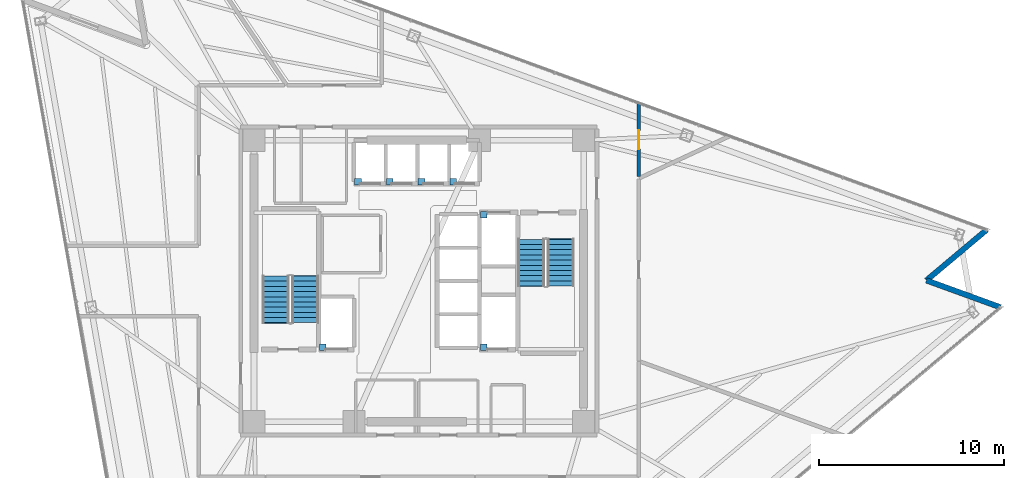
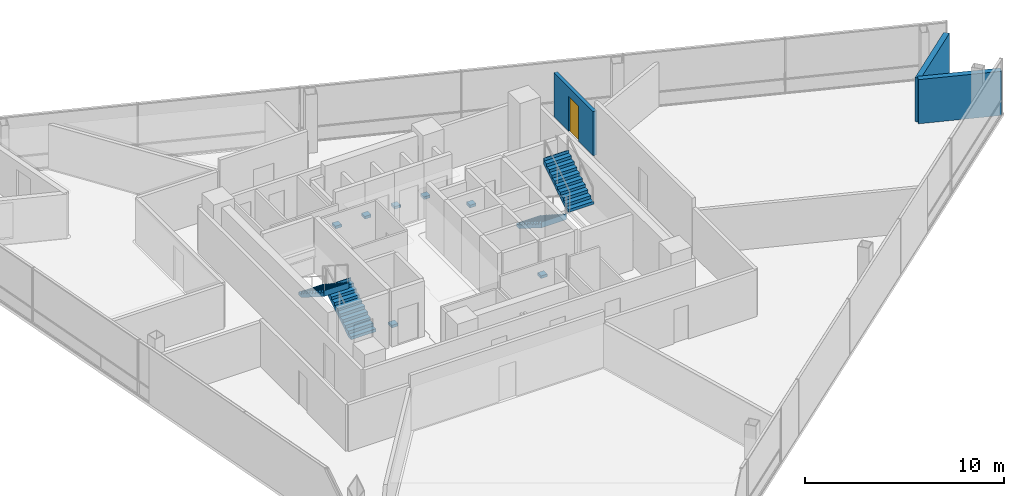
# One storey, part 12 of 16: 7 discrete accessories, 4 stair flights, 3 walls, 1 door, 1 opening, 2 elements without a shape of their own.
"""IFC4 building model written with IfcOpenShell, lengths in metres."""

from ifc_helpers import new_model, si_unit, direction, frame, frame_2d, origin, origin_2d, place, context, subcontext, project, spatial, polyline, rectangle, outline, extrude, material, layer, layer_set, type_object, element, fill, aggregate, save


model = new_model("IFC4")

# Units and contexts
model_context = context("Model", 3, precision=1e-05, world=origin(), true_north=direction((0.0, 1.0)))
body_context = subcontext(model_context, "Body", "Model", "MODEL_VIEW")
ifc_project = project(units=[si_unit("LENGTHUNIT", "METRE"), si_unit("AREAUNIT", "SQUARE_METRE"), si_unit("VOLUMEUNIT", "CUBIC_METRE"), si_unit("PLANEANGLEUNIT", "RADIAN"), si_unit("MASSUNIT", "GRAM", prefix="KILO")], contexts=[model_context])

# Site, building, storey
site_placement = place(None, origin())
site = spatial("IfcSite", under=ifc_project, at=site_placement, CompositionType="ELEMENT")
building_placement = place(site_placement, origin())
building = spatial("IfcBuilding", under=site, at=building_placement, Name="Tharavind Bronze Gate", CompositionType="ELEMENT")
storey_placement = place(building_placement, frame((0.0, 0.0, 188.5)))
storey = spatial("IfcBuildingStorey", under=building, at=storey_placement, Name="L48", CompositionType="ELEMENT", Elevation=188.5)

# Walls
ifc_material_1 = material(Name="Concrete C40/50", Category="concrete")
ifc_layer_1 = layer(ifc_material_1, 0.300048828125)
ifc_layer_set_1 = layer_set([ifc_layer_1], Name="Concrete C40/50")
wall_type_1 = type_object("IfcWallType", Name="EXTERIOR SPANDREL WALL 300", PredefinedType="STANDARD", material=ifc_layer_set_1)
for number, where, z_axis, x_axis, name in (
    (1, (31.410888671875, -1.418212890625, 0.0), (0.0, 0.0, 1.0), (-0.939672547019, 0.342075290511, 0.0), "L48 notch cheek wall 3A"),
    (2, (27.419189453125, 0.034912109375, 0.0), (0.0, 0.0, 1.0), (0.766054602204, 0.642775502367, 0.0), "L48 notch cheek wall 3B"),
):
    element("IfcWall", number, at=place(storey_placement, frame(where, z_axis=z_axis, x_axis=x_axis)), inside=storey, type_object=wall_type_1, Name=name, PredefinedType="STANDARD", context=body_context, shape_type="SweptSolid", body=[
        extrude(rectangle(XDim=4.248046875, YDim=0.300048828125, at=frame_2d((2.1240234375, 0.0))), origin(), (0.0, 0.0, 1.0), 2.715087890625),
    ])

# Wall, opening, door
ifc_material_2 = material(Name="Aerated Concrete Block", Category="concrete")
ifc_layer_2 = layer(ifc_material_2, 0.199951171875)
ifc_layer_set_2 = layer_set([ifc_layer_2], Name="Aerated Concrete Block")
wall_type_2 = type_object("IfcWallType", Name="FIRE RATED PARTITION 200", PredefinedType="PARTITIONING", material=ifc_layer_set_2)
wall_placement = place(storey_placement, frame((11.8798828125, 5.655517578125, 0.0), z_axis=(0.0, 0.0, 1.0), x_axis=(0.0, 1.0, 0.0)))
wall = element("IfcWall", 3, at=wall_placement, inside=storey, type_object=wall_type_2, Name="L48 Cloud Engineering Open Office partition", PredefinedType="PARTITIONING", context=body_context, shape_type="SweptSolid", body=[
    extrude(rectangle(XDim=3.9501953125, YDim=0.199951171875, at=frame_2d((1.97509765625, 0.0))), origin(), (0.0, 0.0, 1.0), 2.715087890625),
])
opening_placement = place(wall_placement, frame((1.47509765625, 0.0, 0.0)))
opening = element("IfcOpeningElement", 4, at=opening_placement, cuts=wall, Name="Opening ID04", PredefinedType="OPENING", context=body_context, shape_type="SweptSolid", body=[
    extrude(rectangle(XDim=1.0, YDim=2.14990234375, at=frame_2d((0.5, 1.074951171875))), frame((0.0, 0.11009765625, 0.0), z_axis=(0.0, -1.0, 0.0), x_axis=(1.0, 0.0, 0.0)), (0.0, 0.0, 1.0), 0.219951171875),
])
ifc_material_3 = material(Name="Bronze Framed Acoustic Timber", Category="wood")
door_type = type_object("IfcDoorType", Name="OFFICE TENANCY DOOR 1000X2150", OperationType="SINGLE_SWING_RIGHT", PredefinedType="DOOR", material=ifc_material_3)
door_placement = place(opening_placement, origin())
door = element("IfcDoor", 5, at=door_placement, inside=storey, type_object=door_type, Name="L48 Cloud Engineering Open Office door", OperationType="SINGLE_SWING_RIGHT", OverallHeight=2.14990234375, OverallWidth=1.0, PredefinedType="DOOR", context=body_context, shape_type="SweptSolid", body=[
    extrude(rectangle(XDim=1.0, YDim=2.14990234375, at=frame_2d((0.5, 1.074951171875))), frame((0.0, 0.02490234375, 0.0), z_axis=(0.0, -1.0, 0.0), x_axis=(1.0, 0.0, 0.0)), (0.0, 0.0, 1.0), 0.050048828125),
])
fill(opening, door)

# Stair, stair flights
stair_type = type_object("IfcStairType", Name="CORE HALF TURN STAIR 1450", PredefinedType="HALF_TURN_STAIR", material=ifc_material_1)
stair_1_placement = place(storey_placement, origin())
stair_1 = element("IfcStair", 6, at=stair_1_placement, inside=storey, type_object=stair_type, Name="L48 Protected Exit Stair ST1", PredefinedType="HALF_TURN_STAIR")
stair_flight_type = type_object("IfcStairFlightType", Name="CORE STAIR FLIGHT 1450", PredefinedType="STRAIGHT", material=ifc_material_1)
stair_flight_1_placement = place(storey_placement, frame((-6.125, -2.25, 0.0), z_axis=(0.0, 0.0, 1.0), x_axis=(0.0, 1.0, 0.0)))
stair_flight_1 = element("IfcStairFlight", 7, at=stair_flight_1_placement, type_object=stair_flight_type, Name="ST1 flight 1", NumberOfRisers=10, NumberOfTreads=9, PredefinedType="STRAIGHT", RiserHeight=0.18, TreadLength=0.28, context=body_context, shape_type="SweptSolid", body=[
    extrude(outline(polyline([(0.0, 0.0), (0.0, 0.179931640625), (0.280029296875, 0.179931640625), (0.280029296875, 0.360107421875), (0.56005859375, 0.360107421875), (0.56005859375, 0.5400390625), (0.840087890625, 0.5400390625), (0.840087890625, 0.719970703125), (1.1201171875, 0.719970703125), (1.1201171875, 0.89990234375), (1.39990234375, 0.89990234375), (1.39990234375, 1.080078125), (1.679931640625, 1.080078125), (1.679931640625, 1.260009765625), (1.9599609375, 1.260009765625), (1.9599609375, 1.43994140625), (2.239990234375, 1.43994140625), (2.239990234375, 1.6201171875), (2.52001953125, 1.6201171875), (2.52001953125, 1.800048828125), (2.555908203125, 1.800048828125), (2.555908203125, 1.44189453125), (0.277099609375, 0.0), (0.0, 0.0)])), frame((0.0, 0.72509765625, 0.0), z_axis=(0.0, -1.0, 0.0), x_axis=(1.0, 0.0, 0.0)), (0.0, 0.0, 1.0), 1.449951171875),
])
stair_flight_2_placement = place(storey_placement, frame((-7.72509765625, 0.27001953125, 1.800048828125), z_axis=(0.0, 0.0, 1.0), x_axis=(0.0, -1.0, 0.0)))
stair_flight_2 = element("IfcStairFlight", 8, at=stair_flight_2_placement, type_object=stair_flight_type, Name="ST1 flight 2", NumberOfRisers=10, NumberOfTreads=9, PredefinedType="STRAIGHT", RiserHeight=0.18, TreadLength=0.28, context=body_context, shape_type="SweptSolid", body=[
    extrude(outline(polyline([(0.0, 0.0), (0.0, 0.179931640625), (0.280029296875, 0.179931640625), (0.280029296875, 0.360107421875), (0.56005859375, 0.360107421875), (0.56005859375, 0.5400390625), (0.840087890625, 0.5400390625), (0.840087890625, 0.719970703125), (1.1201171875, 0.719970703125), (1.1201171875, 0.89990234375), (1.39990234375, 0.89990234375), (1.39990234375, 1.080078125), (1.679931640625, 1.080078125), (1.679931640625, 1.260009765625), (1.9599609375, 1.260009765625), (1.9599609375, 1.43994140625), (2.239990234375, 1.43994140625), (2.239990234375, 1.6201171875), (2.52001953125, 1.6201171875), (2.52001953125, 1.800048828125), (2.555908203125, 1.800048828125), (2.555908203125, 1.44189453125), (0.277099609375, 0.0), (0.0, 0.0)])), frame((0.0, 0.72509765625, 0.0), z_axis=(0.0, -1.0, 0.0), x_axis=(1.0, 0.0, 0.0)), (0.0, 0.0, 1.0), 1.449951171875),
])
aggregate(stair_1, [stair_flight_1, stair_flight_2])

stair_2_placement = place(storey_placement, origin())
stair_2 = element("IfcStair", 9, at=stair_2_placement, inside=storey, type_object=stair_type, Name="L48 Protected Exit Stair ST2", PredefinedType="HALF_TURN_STAIR")
stair_flight_3_placement = place(storey_placement, frame((6.074951171875, 2.25, 0.0), z_axis=(0.0, 0.0, 1.0), x_axis=(0.0, -1.0, 0.0)))
stair_flight_3 = element("IfcStairFlight", 10, at=stair_flight_3_placement, type_object=stair_flight_type, Name="ST2 flight 1", NumberOfRisers=10, NumberOfTreads=9, PredefinedType="STRAIGHT", RiserHeight=0.18, TreadLength=0.28, context=body_context, shape_type="SweptSolid", body=[
    extrude(outline(polyline([(0.0, 0.0), (0.0, 0.179931640625), (0.280029296875, 0.179931640625), (0.280029296875, 0.360107421875), (0.56005859375, 0.360107421875), (0.56005859375, 0.5400390625), (0.840087890625, 0.5400390625), (0.840087890625, 0.719970703125), (1.1201171875, 0.719970703125), (1.1201171875, 0.89990234375), (1.39990234375, 0.89990234375), (1.39990234375, 1.080078125), (1.679931640625, 1.080078125), (1.679931640625, 1.260009765625), (1.9599609375, 1.260009765625), (1.9599609375, 1.43994140625), (2.239990234375, 1.43994140625), (2.239990234375, 1.6201171875), (2.52001953125, 1.6201171875), (2.52001953125, 1.800048828125), (2.555908203125, 1.800048828125), (2.555908203125, 1.44189453125), (0.277099609375, 0.0), (0.0, 0.0)])), frame((0.0, 0.72509765625, 0.0), z_axis=(0.0, -1.0, 0.0), x_axis=(1.0, 0.0, 0.0)), (0.0, 0.0, 1.0), 1.449951171875),
])
stair_flight_4_placement = place(storey_placement, frame((7.675048828125, -0.27001953125, 1.800048828125), z_axis=(0.0, 0.0, 1.0), x_axis=(0.0, 1.0, 0.0)))
stair_flight_4 = element("IfcStairFlight", 11, at=stair_flight_4_placement, type_object=stair_flight_type, Name="ST2 flight 2", NumberOfRisers=10, NumberOfTreads=9, PredefinedType="STRAIGHT", RiserHeight=0.18, TreadLength=0.28, context=body_context, shape_type="SweptSolid", body=[
    extrude(outline(polyline([(0.0, 0.0), (0.0, 0.179931640625), (0.280029296875, 0.179931640625), (0.280029296875, 0.360107421875), (0.56005859375, 0.360107421875), (0.56005859375, 0.5400390625), (0.840087890625, 0.5400390625), (0.840087890625, 0.719970703125), (1.1201171875, 0.719970703125), (1.1201171875, 0.89990234375), (1.39990234375, 0.89990234375), (1.39990234375, 1.080078125), (1.679931640625, 1.080078125), (1.679931640625, 1.260009765625), (1.9599609375, 1.260009765625), (1.9599609375, 1.43994140625), (2.239990234375, 1.43994140625), (2.239990234375, 1.6201171875), (2.52001953125, 1.6201171875), (2.52001953125, 1.800048828125), (2.555908203125, 1.800048828125), (2.555908203125, 1.44189453125), (0.277099609375, 0.0), (0.0, 0.0)])), frame((0.0, 0.72509765625, 0.0), z_axis=(0.0, -1.0, 0.0), x_axis=(1.0, 0.0, 0.0)), (0.0, 0.0, 1.0), 1.449951171875),
])
aggregate(stair_2, [stair_flight_3, stair_flight_4])

# Discrete accessories
ifc_material_4 = material(Name="Galvanised Steel S355", Category="steel")
discrete_accessory_type = type_object("IfcDiscreteAccessoryType", Name="LIFT GUIDE RAIL BRACKET", PredefinedType="BRACKET", material=ifc_material_4)
for number, where, z_axis, x_axis, name in (
    (12, (-3.280029296875, 5.3701171875, 1.1201171875), (0.0, 0.0, 1.0), (1.0, 0.0, 0.0), "Lift PL5 guide rail bracket at L48"),
    (13, (-1.5673828125, 5.3701171875, 1.1201171875), (0.0, 0.0, 1.0), (1.0, 0.0, 0.0), "Lift PL6 guide rail bracket at L48"),
    (14, (0.14501953125, 5.3701171875, 1.1201171875), (0.0, 0.0, 1.0), (1.0, 0.0, 0.0), "Lift PL7 guide rail bracket at L48"),
    (15, (1.857421875, 5.3701171875, 1.1201171875), (0.0, 0.0, 1.0), (1.0, 0.0, 0.0), "Lift PL8 guide rail bracket at L48"),
    (16, (-5.179931640625, -3.580078125, 1.1201171875), (0.0, 0.0, 1.0), (1.0, 0.0, 0.0), "Lift FFL1 guide rail bracket at L48"),
    (17, (3.5, 3.580078125, 1.1201171875), (0.0, 0.0, 1.0), (1.0, 0.0, 0.0), "Lift FFL2 guide rail bracket at L48"),
    (18, (3.5, -3.580078125, 1.1201171875), (0.0, 0.0, 1.0), (1.0, 0.0, 0.0), "Lift SVL1 guide rail bracket at L48"),
):
    element("IfcDiscreteAccessory", number, at=place(storey_placement, frame(where, z_axis=z_axis, x_axis=x_axis)), inside=storey, type_object=discrete_accessory_type, Name=name, PredefinedType="BRACKET", context=body_context, shape_type="SweptSolid", body=[
        extrude(rectangle(XDim=0.360107421875, YDim=0.360107421875, at=origin_2d()), origin(), (0.0, 0.0, 1.0), 0.159912109375),
    ])

save(model, "model.ifc")
